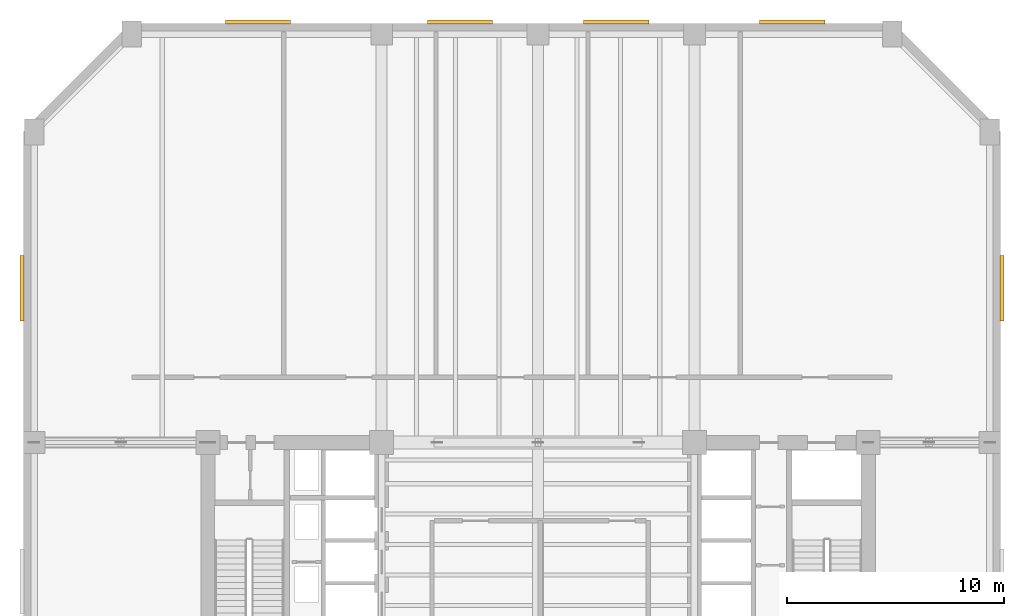
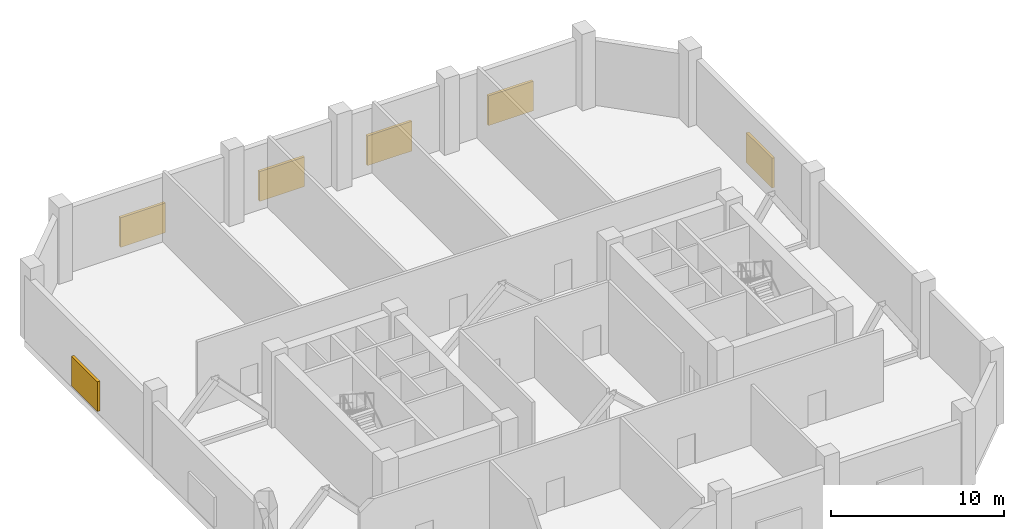
# One storey, part 9 of 9: 6 shading devices.
"""IFC4 building model written with IfcOpenShell, lengths in metres."""

from ifc_helpers import new_model, si_unit, direction, frame, origin, origin_2d, place, context, subcontext, project, spatial, rectangle, extrude, material, type_object, element, save


model = new_model("IFC4")

# Units and contexts
model_context = context("Model", 3, precision=1e-05, world=origin(), true_north=direction((0.0, 1.0)))
body_context = subcontext(model_context, "Body", "Model", "MODEL_VIEW")
ifc_project = project(units=[si_unit("LENGTHUNIT", "METRE"), si_unit("AREAUNIT", "SQUARE_METRE"), si_unit("VOLUMEUNIT", "CUBIC_METRE"), si_unit("PLANEANGLEUNIT", "RADIAN"), si_unit("MASSUNIT", "GRAM", prefix="KILO")], contexts=[model_context])

# Site, building, storey
site_placement = place(None, origin())
site = spatial("IfcSite", under=ifc_project, at=site_placement, CompositionType="ELEMENT")
building_placement = place(site_placement, origin())
building = spatial("IfcBuilding", under=site, at=building_placement, Name="Kranthara Brick Stack", CompositionType="ELEMENT")
storey_placement = place(building_placement, frame((0.0, 0.0, 110.10009765625)))
storey = spatial("IfcBuildingStorey", under=building, at=storey_placement, Name="L27", CompositionType="ELEMENT", Elevation=110.10009765625)

# Shading devices
ifc_material = material(Name="Bronze anodised aluminium acoustic louvre", Category="aluminium")
shading_device_type = type_object("IfcShadingDeviceType", Name="SHD-LOUVRE-PLANT", PredefinedType="JALOUSIE", material=ifc_material)
for number, where, z_axis, x_axis, name in (
    (1, (15.10009765625, 52.9599609375, 0.2998046875), (0.0, 0.0, 1.0), (1.0, 0.0, 0.0), "L27 NORTH Mechanical Louvre Bank 1"),
    (2, (24.39990234375, 52.9599609375, 0.2998046875), (0.0, 0.0, 1.0), (1.0, 0.0, 0.0), "L27 NORTH Mechanical Louvre Bank 2"),
    (3, (31.60009765625, 52.9599609375, 0.2998046875), (0.0, 0.0, 1.0), (1.0, 0.0, 0.0), "L27 NORTH Mechanical Louvre Bank 3"),
    (4, (39.699951171875, 52.9599609375, 0.2998046875), (0.0, 0.0, 1.0), (1.0, 0.0, 0.0), "L27 NORTH Mechanical Louvre Bank 4"),
    (5, (4.239990234375, 40.699951171875, 0.2998046875), (0.0, 0.0, 1.0), (0.0, 1.0, 0.0), "L27 WEST Mechanical Louvre Bank 3"),
    (6, (49.360107421875, 40.699951171875, 0.2998046875), (0.0, 0.0, 1.0), (0.0, -1.0, 0.0), "L27 EAST Mechanical Louvre Bank 1"),
):
    element("IfcShadingDevice", number, at=place(storey_placement, frame(where, z_axis=z_axis, x_axis=x_axis)), inside=storey, type_object=shading_device_type, Name=name, PredefinedType="JALOUSIE", context=body_context, shape_type="SweptSolid", body=[
        extrude(rectangle(XDim=3.0, YDim=0.179931640625, at=origin_2d()), origin(), (0.0, 0.0, 1.0), 2.10009765625),
    ])

save(model, "model.ifc")
